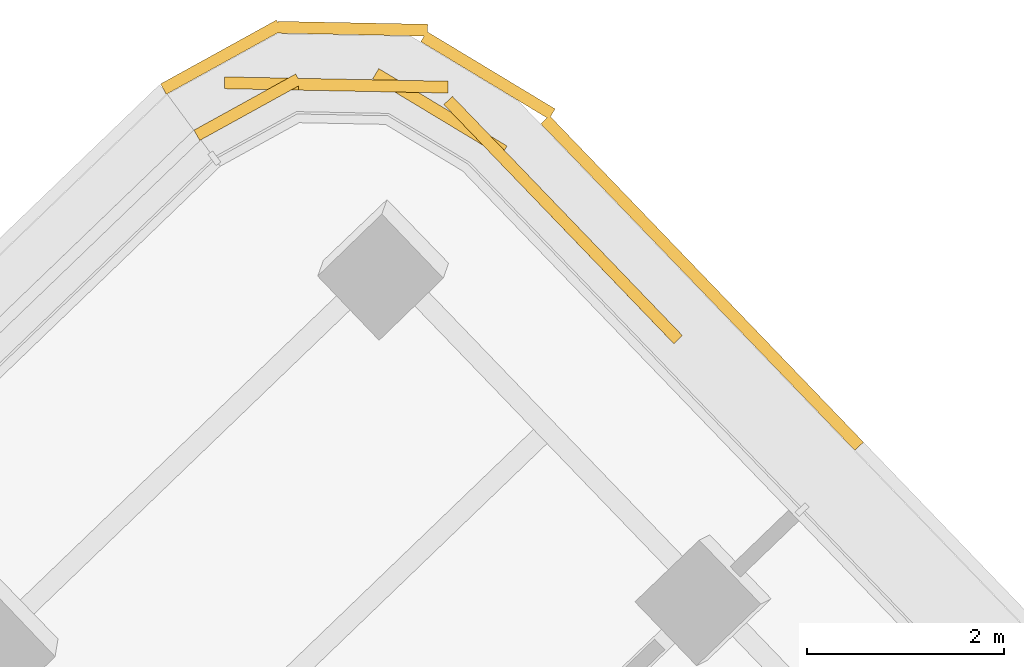
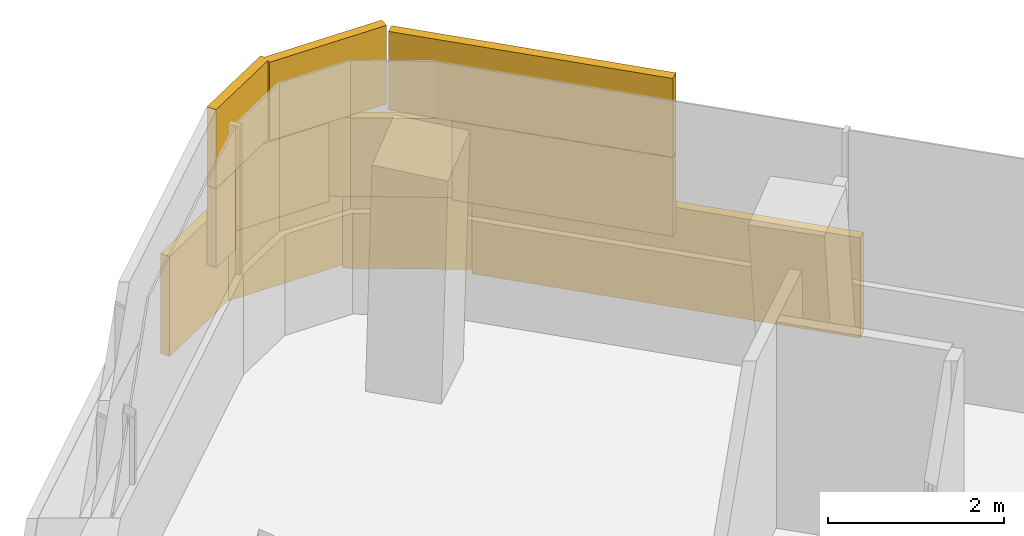
# One storey, part 33 of 34: 1 covering.
"""IFC4 building model written with IfcOpenShell, lengths in metres."""

from ifc_helpers import new_model, si_unit, direction, frame, origin, origin_2d, place, context, subcontext, project, spatial, rectangle, extrude, material, layer, layer_set, type_object, element, save


model = new_model("IFC4")

# Units and contexts
model_context = context("Model", 3, precision=1e-05, world=origin(), true_north=direction((0.0, 1.0)))
body_context = subcontext(model_context, "Body", "Model", "MODEL_VIEW")
ifc_project = project(units=[si_unit("LENGTHUNIT", "METRE"), si_unit("AREAUNIT", "SQUARE_METRE"), si_unit("VOLUMEUNIT", "CUBIC_METRE"), si_unit("PLANEANGLEUNIT", "RADIAN"), si_unit("MASSUNIT", "GRAM", prefix="KILO")], contexts=[model_context])

# Site, building, storey
site_placement = place(None, origin())
site = spatial("IfcSite", under=ifc_project, at=site_placement, CompositionType="ELEMENT")
building_placement = place(site_placement, origin())
building = spatial("IfcBuilding", under=site, at=building_placement, Name="Tamarind Cross Interchange Tower", CompositionType="ELEMENT")
storey_placement = place(building_placement, frame((0.0, 0.0, 193.300048828125)))
storey = spatial("IfcBuildingStorey", under=building, at=storey_placement, Name="L48", CompositionType="ELEMENT", Elevation=193.300048828125)

# Covering
ifc_material = material(Name="Terracotta", Category="masonry")
ifc_layer = layer(ifc_material, 0.1201171875)
ifc_layer_set = layer_set([ifc_layer], Name="Terracotta")
covering_type = type_object("IfcCoveringType", Name="Terracotta baguette screen unit", PredefinedType="MOLDING", material=ifc_layer_set)
covering_placement = place(storey_placement, origin())
element("IfcCovering", 1, at=covering_placement, inside=storey, type_object=covering_type, Name="SCR-L48-07-02", PredefinedType="MOLDING", context=body_context, shape_type="SweptSolid", body=[
    extrude(rectangle(XDim=1.112060546875, YDim=0.1201171875, at=origin_2d()), frame((-8.7236328125, 41.29931640625, 1.40380859375), z_axis=(0.0, 0.0, 1.0), x_axis=(-0.69317039432, 0.720773753988, 0.0)), (0.0, 0.0, 1.0), 1.092041015625),
    extrude(rectangle(XDim=1.52001953125, YDim=0.1201171875, at=origin_2d()), frame((-9.62548828125, 42.237060546875, 1.40380859375), z_axis=(0.0, 0.0, 1.0), x_axis=(-0.69317039432, 0.720773753988, 0.0)), (0.0, 0.0, 1.0), 1.092041015625),
    extrude(rectangle(XDim=1.52001953125, YDim=0.1201171875, at=origin_2d()), frame((-10.755859375, 43.20458984375, 1.40380859375), z_axis=(0.0, 0.0, 1.0), x_axis=(-0.856101160635, 0.516808284337, 0.0)), (0.0, 0.0, 1.0), 1.092041015625),
    extrude(rectangle(XDim=1.52001953125, YDim=0.1201171875, at=origin_2d()), frame((-12.181640625, 43.48974609375, 1.40380859375), z_axis=(0.0, 0.0, 1.0), x_axis=(-0.999809495488, 0.019518522804, 0.0)), (0.0, 0.0, 1.0), 1.092041015625),
    extrude(rectangle(XDim=0.428955078125, YDim=0.1201171875, at=origin_2d()), frame((-13.033935546875, 43.075439453125, 1.40380859375), z_axis=(0.0, 0.0, 1.0), x_axis=(-0.875619683439, -0.483001211151, 0.0)), (0.0, 0.0, 1.0), 1.092041015625),
    extrude(rectangle(XDim=0.362060546875, YDim=0.1201171875, at=origin_2d()), frame((-8.463623046875, 41.029052734375, 2.50390625), z_axis=(0.0, 0.0, 1.0), x_axis=(-0.69317039432, 0.720773753988, 0.0)), (0.0, 0.0, 1.0), 1.092041015625),
    extrude(rectangle(XDim=1.52001953125, YDim=0.1201171875, at=origin_2d()), frame((-9.10546875, 41.696533203125, 2.50390625), z_axis=(0.0, 0.0, 1.0), x_axis=(-0.69317039432, 0.720773753988, 0.0)), (0.0, 0.0, 1.0), 1.092041015625),
    extrude(rectangle(XDim=1.52001953125, YDim=0.1201171875, at=origin_2d()), frame((-10.145263671875, 42.777587890625, 2.50390625), z_axis=(0.0, 0.0, 1.0), x_axis=(-0.69317039432, 0.720773753988, 0.0)), (0.0, 0.0, 1.0), 1.092041015625),
    extrude(rectangle(XDim=1.52001953125, YDim=0.1201171875, at=origin_2d()), frame((-11.431884765625, 43.47509765625, 2.50390625), z_axis=(0.0, 0.0, 1.0), x_axis=(-0.999809495488, 0.019518522804, 0.0)), (0.0, 0.0, 1.0), 1.092041015625),
    extrude(rectangle(XDim=1.178955078125, YDim=0.1201171875, at=origin_2d()), frame((-12.70556640625, 43.256591796875, 2.50390625), z_axis=(0.0, 0.0, 1.0), x_axis=(-0.875619683439, -0.483001211151, 0.0)), (0.0, 0.0, 1.0), 1.092041015625),
    extrude(rectangle(XDim=0.09814453125, YDim=0.1201171875, at=origin_2d()), frame((-6.534912109375, 39.8515625, 0.00390625), z_axis=(0.0, 0.0, 1.0), x_axis=(-0.69317039432, 0.720773753988, 0.0)), (0.0, 0.0, 1.0), 1.39208984375),
    extrude(rectangle(XDim=1.52001953125, YDim=0.1201171875, at=origin_2d()), frame((-7.08203125, 40.42041015625, 0.00390625), z_axis=(0.0, 0.0, 1.0), x_axis=(-0.69317039432, 0.720773753988, 0.0)), (0.0, 0.0, 1.0), 1.39208984375),
    extrude(rectangle(XDim=1.52001953125, YDim=0.1201171875, at=origin_2d()), frame((-8.12158203125, 41.50146484375, 0.00390625), z_axis=(0.0, 0.0, 1.0), x_axis=(-0.69317039432, 0.720773753988, 0.0)), (0.0, 0.0, 1.0), 1.39208984375),
    extrude(rectangle(XDim=1.52001953125, YDim=0.1201171875, at=origin_2d()), frame((-9.161376953125, 42.582763671875, 0.00390625), z_axis=(0.0, 0.0, 1.0), x_axis=(-0.69317039432, 0.720773753988, 0.0)), (0.0, 0.0, 1.0), 1.39208984375),
    extrude(rectangle(XDim=1.52001953125, YDim=0.1201171875, at=origin_2d()), frame((-10.267822265625, 43.58056640625, 0.00390625), z_axis=(0.0, 0.0, 1.0), x_axis=(-0.856101160635, 0.516808284337, 0.0)), (0.0, 0.0, 1.0), 1.39208984375),
    extrude(rectangle(XDim=1.52001953125, YDim=0.1201171875, at=origin_2d()), frame((-11.639404296875, 44.05322265625, 0.00390625), z_axis=(0.0, 0.0, 1.0), x_axis=(-0.999809495488, 0.019518522804, 0.0)), (0.0, 0.0, 1.0), 1.39208984375),
    extrude(rectangle(XDim=1.343505859375, YDim=0.1201171875, at=origin_2d()), frame((-12.97265625, 43.7646484375, 0.00390625), z_axis=(0.0, 0.0, 1.0), x_axis=(-0.875619683439, -0.483001211151, 0.0)), (0.0, 0.0, 1.0), 1.39208984375),
])

save(model, "model.ifc")
